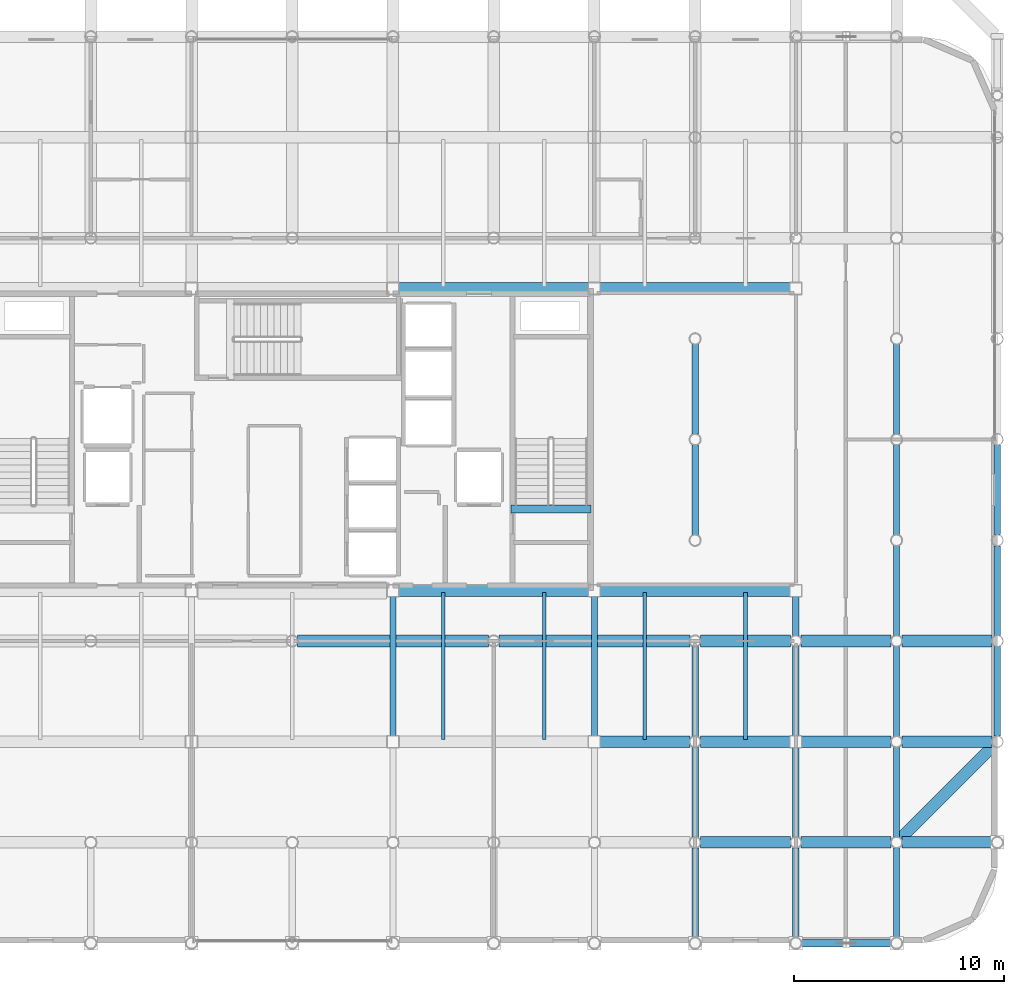
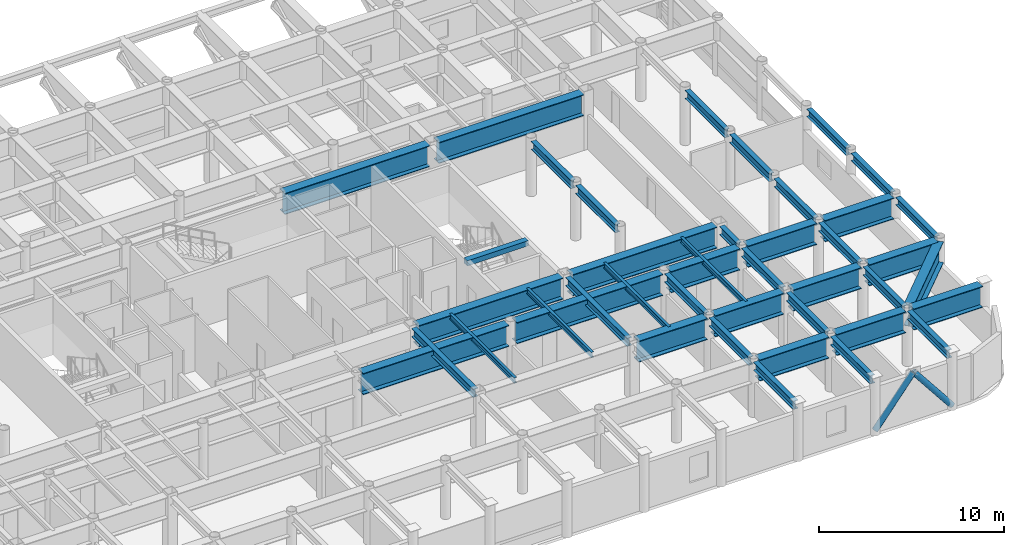
# One storey, part 10 of 24: 42 beams, 2 members.
"""IFC4 building model written with IfcOpenShell, lengths in metres."""

from ifc_helpers import new_model, si_unit, direction, frame, origin, origin_2d, place, context, subcontext, project, spatial, rectangle, hollow_circle, i_section, extrude, material, material_profile, profile_set, type_object, element, save


model = new_model("IFC4")

# Units and contexts
model_context = context("Model", 3, precision=1e-05, world=origin(), true_north=direction((0.0, 1.0)))
body_context = subcontext(model_context, "Body", "Model", "MODEL_VIEW")
ifc_project = project(units=[si_unit("LENGTHUNIT", "METRE"), si_unit("AREAUNIT", "SQUARE_METRE"), si_unit("VOLUMEUNIT", "CUBIC_METRE"), si_unit("PLANEANGLEUNIT", "RADIAN"), si_unit("MASSUNIT", "GRAM", prefix="KILO")], contexts=[model_context])

# Site, building, storey
site_placement = place(None, origin())
site = spatial("IfcSite", under=ifc_project, at=site_placement, CompositionType="ELEMENT")
building_placement = place(site_placement, origin())
building = spatial("IfcBuilding", under=site, at=building_placement, Name="Kallvorn Hotel Tower", CompositionType="ELEMENT")
storey_placement = place(building_placement, frame((0.0, 0.0, 218.449951171875)))
storey = spatial("IfcBuildingStorey", under=building, at=storey_placement, Name="L54", CompositionType="ELEMENT", Elevation=218.449951171875)

# Beams
ifc_material_1 = material(Name="Structural steel S355JR", Category="steel")
ifc_material_profile_1 = material_profile(ifc_material_1, i_section(OverallWidth=0.300048828125, OverallDepth=0.5, WebThickness=0.014404296875, FlangeThickness=0.028076171875, at=origin_2d()), Name="HE 500 B")
ifc_profile_set_1 = profile_set([ifc_material_profile_1], Name="Structural steel S355JR")
beam_type_1 = type_object("IfcBeamType", Name="BM_HE500B", PredefinedType="SPANDREL", material=ifc_profile_set_1)
beam_1_placement = place(storey_placement, frame((33.60009765625, -14.130615234375, 3.420166015625), z_axis=(0.0, 1.0, 0.0), x_axis=(-1.0, 0.0, 0.0)))
element("IfcBeam", 1, at=beam_1_placement, inside=storey, type_object=beam_type_1, Name="L55 Perimeter Spandrel 195", PredefinedType="SPANDREL", context=body_context, shape_type="SweptSolid", body=[
    extrude(i_section(OverallWidth=0.300048828125, OverallDepth=0.5, WebThickness=0.014404296875, FlangeThickness=0.028076171875, at=origin_2d()), origin(), (0.0, 0.0, 1.0), 4.26123046875),
])
for number, where, z_axis, x_axis, name in (
    (2, (33.60009765625, -9.33056640625, 3.420166015625), (0.0, 1.0, 0.0), (-1.0, 0.0, 0.0), "L55 Perimeter Spandrel 196"),
    (3, (33.60009765625, -4.530517578125, 3.420166015625), (0.0, 1.0, 0.0), (-1.0, 0.0, 0.0), "L55 Perimeter Spandrel 197"),
):
    element("IfcBeam", number, at=place(storey_placement, frame(where, z_axis=z_axis, x_axis=x_axis)), inside=storey, type_object=beam_type_1, Name=name, PredefinedType="SPANDREL", context=body_context, shape_type="SweptSolid", body=[
        extrude(i_section(OverallWidth=0.300048828125, OverallDepth=0.5, WebThickness=0.014404296875, FlangeThickness=0.028076171875, at=origin_2d()), origin(), (0.0, 0.0, 1.0), 4.260986328125),
    ])
ifc_material_2 = material(Name="Structural steel S355JR", Category="steel")
ifc_material_profile_2 = material_profile(ifc_material_2, i_section(OverallWidth=0.300048828125, OverallDepth=0.550048828125, WebThickness=0.014892578125, FlangeThickness=0.029052734375, at=origin_2d()), Name="HE 550 B")
ifc_profile_set_2 = profile_set([ifc_material_profile_2], Name="Structural steel S355JR")
beam_type_2 = type_object("IfcBeamType", Name="BM_HE550B", PredefinedType="SPANDREL", material=ifc_profile_set_2)
for number, where, z_axis, x_axis, name in (
    (4, (4.800048828125, -14.125, 3.39501953125), (0.0, 1.0, 0.0), (-1.0, 0.0, 0.0), "L55 Primary Y-Girder 128"),
    (5, (14.39990234375, -14.125, 3.39501953125), (0.0, 1.0, 0.0), (-1.0, 0.0, 0.0), "L55 Primary Y-Girder 136"),
):
    element("IfcBeam", number, at=place(storey_placement, frame(where, z_axis=z_axis, x_axis=x_axis)), inside=storey, type_object=beam_type_2, Name=name, PredefinedType="SPANDREL", context=body_context, shape_type="SweptSolid", body=[
        extrude(i_section(OverallWidth=0.300048828125, OverallDepth=0.550048828125, WebThickness=0.014892578125, FlangeThickness=0.029052734375, at=origin_2d()), origin(), (0.0, 0.0, 1.0), 6.64990234375),
    ])
for number, where, z_axis, x_axis, name in (
    (6, (19.199951171875, -23.74560546875, 3.39501953125), (0.0, 1.0, 0.0), (-1.0, 0.0, 0.0), "L55 Primary Y-Girder 139"),
    (7, (19.199951171875, -18.945556640625, 3.39501953125), (0.0, 1.0, 0.0), (-1.0, 0.0, 0.0), "L55 Primary Y-Girder 140"),
    (8, (19.199951171875, -14.1455078125, 3.39501953125), (0.0, 1.0, 0.0), (-1.0, 0.0, 0.0), "L55 Primary Y-Girder 141"),
    (9, (19.199951171875, -4.54541015625, 3.39501953125), (0.0, 1.0, 0.0), (-1.0, 0.0, 0.0), "L55 Primary Y-Girder 143"),
    (10, (19.199951171875, 0.25439453125, 3.39501953125), (0.0, 1.0, 0.0), (-1.0, 0.0, 0.0), "L55 Primary Y-Girder 144"),
    (11, (24.0, -23.74560546875, 3.39501953125), (0.0, 1.0, 0.0), (-1.0, 0.0, 0.0), "L55 Primary Y-Girder 148"),
):
    element("IfcBeam", number, at=place(storey_placement, frame(where, z_axis=z_axis, x_axis=x_axis)), inside=storey, type_object=beam_type_2, Name=name, PredefinedType="SPANDREL", context=body_context, shape_type="SweptSolid", body=[
        extrude(i_section(OverallWidth=0.300048828125, OverallDepth=0.550048828125, WebThickness=0.014892578125, FlangeThickness=0.029052734375, at=origin_2d()), origin(), (0.0, 0.0, 1.0), 4.291015625),
    ])
for number, where, z_axis, x_axis, name in (
    (12, (24.0, -18.945556640625, 3.39501953125), (0.0, 1.0, 0.0), (-1.0, 0.0, 0.0), "L55 Primary Y-Girder 149"),
    (13, (24.0, -14.125, 3.39501953125), (0.0, 1.0, 0.0), (-1.0, 0.0, 0.0), "L55 Primary Y-Girder 150"),
):
    element("IfcBeam", number, at=place(storey_placement, frame(where, z_axis=z_axis, x_axis=x_axis)), inside=storey, type_object=beam_type_2, Name=name, PredefinedType="SPANDREL", context=body_context, shape_type="SweptSolid", body=[
        extrude(i_section(OverallWidth=0.300048828125, OverallDepth=0.550048828125, WebThickness=0.014892578125, FlangeThickness=0.029052734375, at=origin_2d()), origin(), (0.0, 0.0, 1.0), 4.2705078125),
    ])
beam_2_placement = place(storey_placement, frame((24.0, -9.345458984375, 3.39501953125), z_axis=(0.0, 1.0, 0.0), x_axis=(-1.0, 0.0, 0.0)))
element("IfcBeam", 14, at=beam_2_placement, inside=storey, type_object=beam_type_2, Name="L55 Primary Y-Girder 151", PredefinedType="SPANDREL", context=body_context, shape_type="SweptSolid", body=[
    extrude(i_section(OverallWidth=0.300048828125, OverallDepth=0.550048828125, WebThickness=0.014892578125, FlangeThickness=0.029052734375, at=origin_2d()), origin(), (0.0, 0.0, 1.0), 1.870361328125),
])
for number, where, z_axis, x_axis, name in (
    (15, (28.800048828125, -23.74560546875, 3.39501953125), (0.0, 1.0, 0.0), (-1.0, 0.0, 0.0), "L55 Primary Y-Girder 155"),
    (16, (28.800048828125, -18.945556640625, 3.39501953125), (0.0, 1.0, 0.0), (-1.0, 0.0, 0.0), "L55 Primary Y-Girder 156"),
    (17, (28.800048828125, -14.1455078125, 3.39501953125), (0.0, 1.0, 0.0), (-1.0, 0.0, 0.0), "L55 Primary Y-Girder 157"),
    (18, (28.800048828125, -9.345458984375, 3.39501953125), (0.0, 1.0, 0.0), (-1.0, 0.0, 0.0), "L55 Primary Y-Girder 158"),
    (19, (28.800048828125, -4.54541015625, 3.39501953125), (0.0, 1.0, 0.0), (-1.0, 0.0, 0.0), "L55 Primary Y-Girder 159"),
    (20, (28.800048828125, 0.25439453125, 3.39501953125), (0.0, 1.0, 0.0), (-1.0, 0.0, 0.0), "L55 Primary Y-Girder 160"),
):
    element("IfcBeam", number, at=place(storey_placement, frame(where, z_axis=z_axis, x_axis=x_axis)), inside=storey, type_object=beam_type_2, Name=name, PredefinedType="SPANDREL", context=body_context, shape_type="SweptSolid", body=[
        extrude(i_section(OverallWidth=0.300048828125, OverallDepth=0.550048828125, WebThickness=0.014892578125, FlangeThickness=0.029052734375, at=origin_2d()), origin(), (0.0, 0.0, 1.0), 4.291015625),
    ])
ifc_material_3 = material(Name="Structural steel S355JR", Category="steel")
ifc_material_profile_3 = material_profile(ifc_material_3, i_section(OverallWidth=0.169921875, OverallDepth=0.360107421875, WebThickness=0.008056640625, FlangeThickness=0.0126953125, at=origin_2d()), Name="IPE 360")
ifc_profile_set_3 = profile_set([ifc_material_profile_3], Name="Structural steel S355JR")
beam_type_3 = type_object("IfcBeamType", Name="BM_IPE360", PredefinedType="JOIST", material=ifc_profile_set_3)
for number, where, z_axis, x_axis, name in (
    (21, (7.199951171875, -14.300048828125, 3.489990234375), (0.0, 1.0, 0.0), (-1.0, 0.0, 0.0), "L55 Secondary Composite Joist 215"),
    (22, (12.0, -14.300048828125, 3.489990234375), (0.0, 1.0, 0.0), (-1.0, 0.0, 0.0), "L55 Secondary Composite Joist 217"),
    (23, (16.800048828125, -14.300048828125, 3.489990234375), (0.0, 1.0, 0.0), (-1.0, 0.0, 0.0), "L55 Secondary Composite Joist 219"),
    (24, (21.60009765625, -14.300048828125, 3.489990234375), (0.0, 1.0, 0.0), (-1.0, 0.0, 0.0), "L55 Secondary Composite Joist 221"),
):
    element("IfcBeam", number, at=place(storey_placement, frame(where, z_axis=z_axis, x_axis=x_axis)), inside=storey, type_object=beam_type_3, Name=name, PredefinedType="JOIST", context=body_context, shape_type="SweptSolid", body=[
        extrude(i_section(OverallWidth=0.169921875, OverallDepth=0.360107421875, WebThickness=0.008056640625, FlangeThickness=0.0126953125, at=origin_2d()), origin(), (0.0, 0.0, 1.0), 7.0),
    ])
ifc_material_4 = material(Name="Structural steel S355JR", Category="steel")
ifc_material_profile_4 = material_profile(ifc_material_4, i_section(OverallWidth=0.550048828125, OverallDepth=1.39990234375, WebThickness=0.02490234375, FlangeThickness=0.044921875, at=origin_2d()), Name="PG 1400x550x25x45")
ifc_profile_set_4 = profile_set([ifc_material_profile_4], Name="Structural steel S355JR")
beam_type_4 = type_object("IfcBeamType", Name="BM_PG_1400", PredefinedType="BEAM", material=ifc_profile_set_4)
for number, where, z_axis, x_axis, name in (
    (25, (19.45458984375, -19.199951171875, 2.969970703125), (1.0, 0.0, 0.0), (0.0, 1.0, 0.0), "L55 Primary X-Girder 24"),
    (26, (24.25439453125, -19.199951171875, 2.969970703125), (1.0, 0.0, 0.0), (0.0, 1.0, 0.0), "L55 Primary X-Girder 25"),
    (27, (29.054443359375, -19.199951171875, 2.969970703125), (1.0, 0.0, 0.0), (0.0, 1.0, 0.0), "L55 Primary X-Girder 26"),
):
    element("IfcBeam", number, at=place(storey_placement, frame(where, z_axis=z_axis, x_axis=x_axis)), inside=storey, type_object=beam_type_4, Name=name, PredefinedType="BEAM", context=body_context, shape_type="SweptSolid", body=[
        extrude(i_section(OverallWidth=0.550048828125, OverallDepth=1.39990234375, WebThickness=0.02490234375, FlangeThickness=0.044921875, at=origin_2d()), origin(), (0.0, 0.0, 1.0), 4.291015625),
    ])
for number, where, z_axis, x_axis, name in (
    (28, (14.675048828125, -14.39990234375, 2.969970703125), (1.0, 0.0, 0.0), (0.0, 1.0, 0.0), "L55 Primary X-Girder 33"),
    (29, (19.45458984375, -14.39990234375, 2.969970703125), (1.0, 0.0, 0.0), (0.0, 1.0, 0.0), "L55 Primary X-Girder 34"),
    (30, (24.27490234375, -14.39990234375, 2.969970703125), (1.0, 0.0, 0.0), (0.0, 1.0, 0.0), "L55 Primary X-Girder 35"),
):
    element("IfcBeam", number, at=place(storey_placement, frame(where, z_axis=z_axis, x_axis=x_axis)), inside=storey, type_object=beam_type_4, Name=name, PredefinedType="BEAM", context=body_context, shape_type="SweptSolid", body=[
        extrude(i_section(OverallWidth=0.550048828125, OverallDepth=1.39990234375, WebThickness=0.02490234375, FlangeThickness=0.044921875, at=origin_2d()), origin(), (0.0, 0.0, 1.0), 4.2705078125),
    ])
beam_3_placement = place(storey_placement, frame((29.054443359375, -14.39990234375, 2.969970703125), z_axis=(1.0, 0.0, 0.0), x_axis=(0.0, 1.0, 0.0)))
element("IfcBeam", 31, at=beam_3_placement, inside=storey, type_object=beam_type_4, Name="L55 Primary X-Girder 36", PredefinedType="BEAM", context=body_context, shape_type="SweptSolid", body=[
    extrude(i_section(OverallWidth=0.550048828125, OverallDepth=1.39990234375, WebThickness=0.02490234375, FlangeThickness=0.044921875, at=origin_2d()), origin(), (0.0, 0.0, 1.0), 4.291015625),
])
for number, where, z_axis, x_axis, name in (
    (32, (0.25439453125, -9.60009765625, 2.969970703125), (1.0, 0.0, 0.0), (0.0, 1.0, 0.0), "L55 Primary X-Girder 41"),
    (33, (9.8544921875, -9.60009765625, 2.969970703125), (1.0, 0.0, 0.0), (0.0, 1.0, 0.0), "L55 Primary X-Girder 42"),
):
    element("IfcBeam", number, at=place(storey_placement, frame(where, z_axis=z_axis, x_axis=x_axis)), inside=storey, type_object=beam_type_4, Name=name, PredefinedType="BEAM", context=body_context, shape_type="SweptSolid", body=[
        extrude(i_section(OverallWidth=0.550048828125, OverallDepth=1.39990234375, WebThickness=0.02490234375, FlangeThickness=0.044921875, at=origin_2d()), origin(), (0.0, 0.0, 1.0), 9.091064453125),
    ])
for number, where, z_axis, x_axis, name in (
    (34, (19.45458984375, -9.60009765625, 2.969970703125), (1.0, 0.0, 0.0), (0.0, 1.0, 0.0), "L55 Primary X-Girder 43"),
    (35, (24.25439453125, -9.60009765625, 2.969970703125), (1.0, 0.0, 0.0), (0.0, 1.0, 0.0), "L55 Primary X-Girder 44"),
    (36, (29.054443359375, -9.60009765625, 2.969970703125), (1.0, 0.0, 0.0), (0.0, 1.0, 0.0), "L55 Primary X-Girder 45"),
):
    element("IfcBeam", number, at=place(storey_placement, frame(where, z_axis=z_axis, x_axis=x_axis)), inside=storey, type_object=beam_type_4, Name=name, PredefinedType="BEAM", context=body_context, shape_type="SweptSolid", body=[
        extrude(i_section(OverallWidth=0.550048828125, OverallDepth=1.39990234375, WebThickness=0.02490234375, FlangeThickness=0.044921875, at=origin_2d()), origin(), (0.0, 0.0, 1.0), 4.291015625),
    ])
for number, where, z_axis, x_axis, name in (
    (37, (5.074951171875, -7.199951171875, 2.969970703125), (1.0, 0.0, 0.0), (0.0, 1.0, 0.0), "L55 Primary X-Girder 48"),
    (38, (14.675048828125, -7.199951171875, 2.969970703125), (1.0, 0.0, 0.0), (0.0, 1.0, 0.0), "L55 Primary X-Girder 49"),
    (39, (5.074951171875, 7.199951171875, 2.969970703125), (1.0, 0.0, 0.0), (0.0, 1.0, 0.0), "L55 Primary X-Girder 53"),
    (40, (14.675048828125, 7.199951171875, 2.969970703125), (1.0, 0.0, 0.0), (0.0, 1.0, 0.0), "L55 Primary X-Girder 54"),
):
    element("IfcBeam", number, at=place(storey_placement, frame(where, z_axis=z_axis, x_axis=x_axis)), inside=storey, type_object=beam_type_4, Name=name, PredefinedType="BEAM", context=body_context, shape_type="SweptSolid", body=[
        extrude(i_section(OverallWidth=0.550048828125, OverallDepth=1.39990234375, WebThickness=0.02490234375, FlangeThickness=0.044921875, at=origin_2d()), origin(), (0.0, 0.0, 1.0), 9.050048828125),
    ])
beam_4_placement = place(storey_placement, frame((33.409423828125, -14.590576171875, 2.969970703125), z_axis=(-0.707106781187, -0.707106781187, 0.0), x_axis=(0.707106781187, -0.707106781187, 0.0)))
element("IfcBeam", 41, at=beam_4_placement, inside=storey, type_object=beam_type_4, Name="L55 Rounded Corner Tie Beam 203", PredefinedType="BEAM", context=body_context, shape_type="SweptSolid", body=[
    extrude(i_section(OverallWidth=0.550048828125, OverallDepth=1.39990234375, WebThickness=0.02490234375, FlangeThickness=0.044921875, at=origin_2d()), origin(), (0.0, 0.0, 1.0), 6.249267578125),
])
ifc_material_5 = material(Name="Concrete C50/60", Category="concrete")
ifc_material_profile_5 = material_profile(ifc_material_5, rectangle(XDim=0.360107421875, YDim=0.340087890625, at=origin_2d()), Name="RC 360x340")
ifc_profile_set_5 = profile_set([ifc_material_profile_5], Name="Concrete C50/60")
beam_type_5 = type_object("IfcBeamType", Name="BM_RC_400x360", PredefinedType="BEAM", material=ifc_profile_set_5)
beam_5_placement = place(storey_placement, frame((14.239990234375, -3.31005859375, 3.5), z_axis=(-1.0, 0.0, 0.0), x_axis=(0.0, -1.0, 0.0)))
element("IfcBeam", 42, at=beam_5_placement, inside=storey, type_object=beam_type_5, Name="L55 Stair ST2 Arrival Trimmer Beam", PredefinedType="BEAM", context=body_context, shape_type="SweptSolid", body=[
    extrude(rectangle(XDim=0.360107421875, YDim=0.340087890625, at=origin_2d()), origin(), (0.0, 0.0, 1.0), 3.820068359375),
])

# Members
ifc_material_6 = material(Name="Structural steel S355J2H", Category="steel")
ifc_material_profile_6 = material_profile(ifc_material_6, hollow_circle(Radius=0.177734375, WallThickness=0.01416015625, at=origin_2d()), Name="CHS 355.6x14.2")
ifc_profile_set_6 = profile_set([ifc_material_profile_6], Name="Structural steel S355J2H")
member_type = type_object("IfcMemberType", Name="MBR_EXO_CHS355", PredefinedType="BRACE", material=ifc_profile_set_6)
for number, where, z_axis, x_axis, name in (
    (43, (24.012451171875, -24.0, 0.19580078125), (0.620928510901, 0.0, 0.783867198159), (0.0, 1.0, 0.0), "L54 Exoskeleton K-Brace S2A"),
    (44, (28.78759765625, -24.0, 0.19580078125), (-0.620928510901, 0.0, 0.783867198159), (0.0, -1.0, 0.0), "L54 Exoskeleton K-Brace S2B"),
):
    element("IfcMember", number, at=place(storey_placement, frame(where, z_axis=z_axis, x_axis=x_axis)), inside=storey, type_object=member_type, Name=name, PredefinedType="BRACE", context=body_context, shape_type="SweptSolid", body=[
        extrude(hollow_circle(Radius=0.177734375, WallThickness=0.01416015625, at=origin_2d()), origin(), (0.0, 0.0, 1.0), 3.8251953125),
    ])

save(model, "model.ifc")
